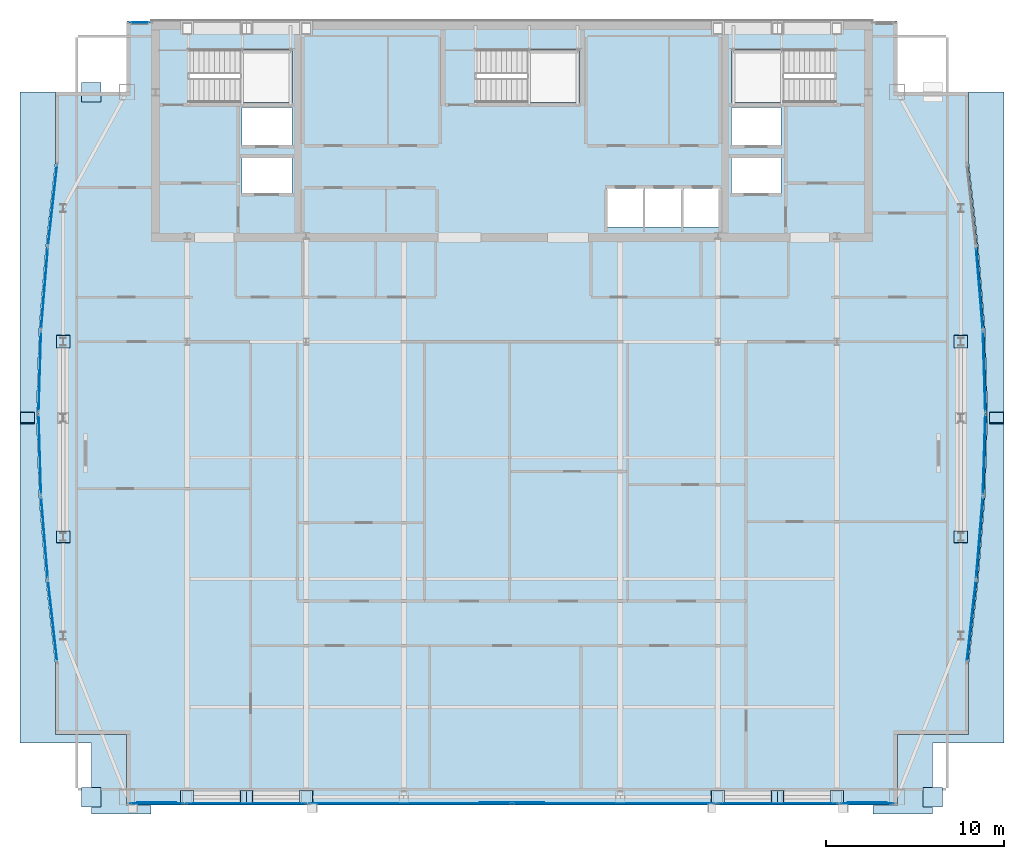
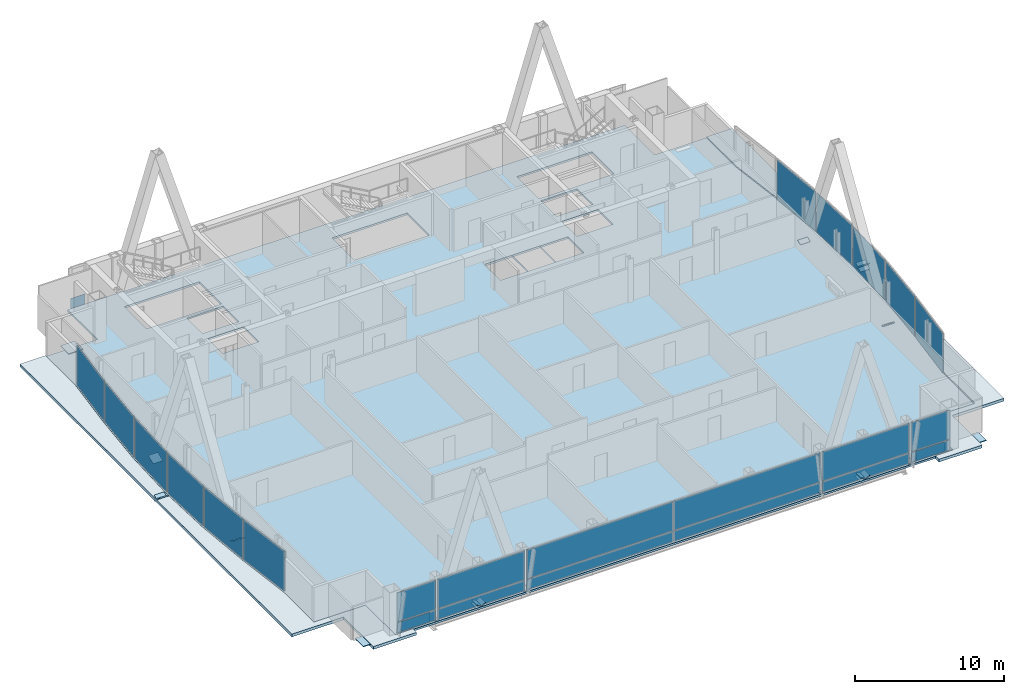
# One storey, part 21 of 28: 46 plates, 3 slabs, 17 elements without a shape of their own.
"""IFC4 building model written with IfcOpenShell, lengths in metres."""

from ifc_helpers import new_model, si_unit, direction, frame, origin, origin_2d, place, context, subcontext, project, spatial, polyline, rectangle, outline, extrude, material, layer, layer_set, type_object, element, aggregate, save


model = new_model("IFC4")

# Units and contexts
model_context = context("Model", 3, precision=1e-05, world=origin(), true_north=direction((0.0, 1.0)))
body_context = subcontext(model_context, "Body", "Model", "MODEL_VIEW")
ifc_project = project(units=[si_unit("LENGTHUNIT", "METRE"), si_unit("AREAUNIT", "SQUARE_METRE"), si_unit("VOLUMEUNIT", "CUBIC_METRE"), si_unit("PLANEANGLEUNIT", "RADIAN"), si_unit("MASSUNIT", "GRAM", prefix="KILO")], contexts=[model_context])

# Site, building, storey
site_placement = place(None, origin())
site = spatial("IfcSite", under=ifc_project, at=site_placement, CompositionType="ELEMENT")
building_placement = place(site_placement, origin())
building = spatial("IfcBuilding", under=site, at=building_placement, Name="Khoronbel Lancet Exchange", CompositionType="ELEMENT")
storey_placement = place(building_placement, frame((0.0, 0.0, 291.39990234375)))
storey = spatial("IfcBuildingStorey", under=building, at=storey_placement, Name="L75", CompositionType="ELEMENT", Elevation=291.39990234375)

# Curtain wall, plate
ifc_material_1 = material(Name="Low-E Solar Control Insulating Glass", Category="glass")
curtain_wall_type_1 = type_object("IfcCurtainWallType", Name="CW-4", PredefinedType="NOTDEFINED", material=ifc_material_1)
curtain_wall_1_placement = place(storey_placement, origin())
curtain_wall_1 = element("IfcCurtainWall", 1, at=curtain_wall_1_placement, inside=storey, type_object=curtain_wall_type_1, Name="Unitised curtain wall CW-L75-E05", PredefinedType="NOTDEFINED")
ifc_material_2 = material(Name="Bronze-Anodised Aluminium 6063-T6", Category="aluminium")
ifc_layer_1 = layer(ifc_material_2, 0.050048828125, Name="Bronze-Anodised Aluminium 6063-T6")
ifc_layer_set_1 = layer_set([ifc_layer_1], Name="Bronze-Anodised Aluminium 6063-T6")
plate_type_1 = type_object("IfcPlateType", Name="PLT-CSP1", PredefinedType="SHEET", material=ifc_layer_set_1)
plate_1_placement = place(storey_placement, frame((10.22265625, 24.706787109375, 0.085205078125), z_axis=(0.0, 0.0, 1.0), x_axis=(-0.082072596992, 0.996626353667, 0.0)))
plate_1 = element("IfcPlate", 2, at=plate_1_placement, type_object=plate_type_1, Name="CW4 panel 1.1", PredefinedType="CURTAIN_PANEL", context=body_context, shape_type="SweptSolid", body=[
    extrude(rectangle(XDim=4.52880859375, YDim=0.0380859375, at=origin_2d()), origin(), (0.0, 0.0, 1.0), 3.27001953125),
])
aggregate(curtain_wall_1, [plate_1])

curtain_wall_2_placement = place(storey_placement, origin())
curtain_wall_2 = element("IfcCurtainWall", 3, at=curtain_wall_2_placement, inside=storey, type_object=curtain_wall_type_1, Name="Unitised curtain wall CW-L75-E06", PredefinedType="NOTDEFINED")
plate_2_placement = place(storey_placement, frame((9.960205078125, 29.369140625, 0.085205078125), z_axis=(0.0, 0.0, 1.0), x_axis=(-0.030147608411, 0.999545457549, 0.0)))
plate_2 = element("IfcPlate", 4, at=plate_2_placement, type_object=plate_type_1, Name="CW4 panel 1.1", PredefinedType="CURTAIN_PANEL", context=body_context, shape_type="SweptSolid", body=[
    extrude(rectangle(XDim=4.513671875, YDim=0.0380859375, at=origin_2d()), origin(), (0.0, 0.0, 1.0), 3.27001953125),
])
aggregate(curtain_wall_2, [plate_2])

curtain_wall_3_placement = place(storey_placement, origin())
curtain_wall_3 = element("IfcCurtainWall", 5, at=curtain_wall_3_placement, inside=storey, type_object=curtain_wall_type_1, Name="Unitised curtain wall CW-L75-E07", PredefinedType="NOTDEFINED")
plate_3_placement = place(storey_placement, frame((9.960205078125, 34.03076171875, 0.085205078125), z_axis=(0.0, 0.0, 1.0), x_axis=(0.030147608411, 0.999545457549, 0.0)))
plate_3 = element("IfcPlate", 6, at=plate_3_placement, type_object=plate_type_1, Name="CW4 panel 1.1", PredefinedType="CURTAIN_PANEL", context=body_context, shape_type="SweptSolid", body=[
    extrude(rectangle(XDim=4.513671875, YDim=0.0380859375, at=origin_2d()), origin(), (0.0, 0.0, 1.0), 3.27001953125),
])
aggregate(curtain_wall_3, [plate_3])

curtain_wall_4_placement = place(storey_placement, origin())
curtain_wall_4 = element("IfcCurtainWall", 7, at=curtain_wall_4_placement, inside=storey, type_object=curtain_wall_type_1, Name="Unitised curtain wall CW-L75-E08", PredefinedType="NOTDEFINED")
plate_4_placement = place(storey_placement, frame((10.22265625, 38.693115234375, 0.085205078125), z_axis=(0.0, 0.0, 1.0), x_axis=(0.082072596992, 0.996626353667, 0.0)))
plate_4 = element("IfcPlate", 8, at=plate_4_placement, type_object=plate_type_1, Name="CW4 panel 1.1", PredefinedType="CURTAIN_PANEL", context=body_context, shape_type="SweptSolid", body=[
    extrude(rectangle(XDim=4.52880859375, YDim=0.0380859375, at=origin_2d()), origin(), (0.0, 0.0, 1.0), 3.27001953125),
])
aggregate(curtain_wall_4, [plate_4])

curtain_wall_5_placement = place(storey_placement, origin())
curtain_wall_5 = element("IfcCurtainWall", 9, at=curtain_wall_5_placement, inside=storey, type_object=curtain_wall_type_1, Name="Unitised curtain wall CW-L75-E18", PredefinedType="NOTDEFINED")
plate_5_placement = place(storey_placement, frame((62.677490234375, 38.693115234375, 0.085205078125), z_axis=(0.0, 0.0, 1.0), x_axis=(0.082072596992, -0.996626353667, 0.0)))
plate_5 = element("IfcPlate", 10, at=plate_5_placement, type_object=plate_type_1, Name="CW4 panel 1.1", PredefinedType="CURTAIN_PANEL", context=body_context, shape_type="SweptSolid", body=[
    extrude(rectangle(XDim=4.52880859375, YDim=0.0380859375, at=origin_2d()), origin(), (0.0, 0.0, 1.0), 3.27001953125),
])
aggregate(curtain_wall_5, [plate_5])

curtain_wall_6_placement = place(storey_placement, origin())
curtain_wall_6 = element("IfcCurtainWall", 11, at=curtain_wall_6_placement, inside=storey, type_object=curtain_wall_type_1, Name="Unitised curtain wall CW-L75-E19", PredefinedType="NOTDEFINED")
plate_6_placement = place(storey_placement, frame((62.939697265625, 34.03076171875, 0.085205078125), z_axis=(0.0, 0.0, 1.0), x_axis=(0.030147608411, -0.999545457549, 0.0)))
plate_6 = element("IfcPlate", 12, at=plate_6_placement, type_object=plate_type_1, Name="CW4 panel 1.1", PredefinedType="CURTAIN_PANEL", context=body_context, shape_type="SweptSolid", body=[
    extrude(rectangle(XDim=4.513671875, YDim=0.0380859375, at=origin_2d()), origin(), (0.0, 0.0, 1.0), 3.27001953125),
])
aggregate(curtain_wall_6, [plate_6])

curtain_wall_7_placement = place(storey_placement, origin())
curtain_wall_7 = element("IfcCurtainWall", 13, at=curtain_wall_7_placement, inside=storey, type_object=curtain_wall_type_1, Name="Unitised curtain wall CW-L75-E20", PredefinedType="NOTDEFINED")
plate_7_placement = place(storey_placement, frame((62.939697265625, 29.369140625, 0.085205078125), z_axis=(0.0, 0.0, 1.0), x_axis=(-0.030147608411, -0.999545457549, 0.0)))
plate_7 = element("IfcPlate", 14, at=plate_7_placement, type_object=plate_type_1, Name="CW4 panel 1.1", PredefinedType="CURTAIN_PANEL", context=body_context, shape_type="SweptSolid", body=[
    extrude(rectangle(XDim=4.513671875, YDim=0.0380859375, at=origin_2d()), origin(), (0.0, 0.0, 1.0), 3.27001953125),
])
aggregate(curtain_wall_7, [plate_7])

curtain_wall_8_placement = place(storey_placement, origin())
curtain_wall_8 = element("IfcCurtainWall", 15, at=curtain_wall_8_placement, inside=storey, type_object=curtain_wall_type_1, Name="Unitised curtain wall CW-L75-E21", PredefinedType="NOTDEFINED")
plate_8_placement = place(storey_placement, frame((62.677490234375, 24.706787109375, 0.085205078125), z_axis=(0.0, 0.0, 1.0), x_axis=(-0.082072596992, -0.996626353667, 0.0)))
plate_8 = element("IfcPlate", 16, at=plate_8_placement, type_object=plate_type_1, Name="CW4 panel 1.1", PredefinedType="CURTAIN_PANEL", context=body_context, shape_type="SweptSolid", body=[
    extrude(rectangle(XDim=4.52880859375, YDim=0.0380859375, at=origin_2d()), origin(), (0.0, 0.0, 1.0), 3.27001953125),
])
aggregate(curtain_wall_8, [plate_8])

curtain_wall_type_2 = type_object("IfcCurtainWallType", Name="CW-3", PredefinedType="NOTDEFINED", material=ifc_material_1)
curtain_wall_9_placement = place(storey_placement, origin())
curtain_wall_9 = element("IfcCurtainWall", 17, at=curtain_wall_9_placement, inside=storey, type_object=curtain_wall_type_2, Name="Unitised curtain wall CW-L75-SWV", PredefinedType="NOTDEFINED")
plate_9_placement = place(storey_placement, frame((16.52001953125, 9.85009765625, 0.05029296875), z_axis=(0.0, 0.0, 1.0), x_axis=(1.0, 0.0, 0.0)))
plate_9 = element("IfcPlate", 18, at=plate_9_placement, type_object=plate_type_1, Name="Insulated bronze spandrel cassette CW-L75-SWV", PredefinedType="SHEET", context=body_context, shape_type="SweptSolid", body=[
    extrude(rectangle(XDim=2.2119140625, YDim=0.050048828125, at=origin_2d()), origin(), (0.0, 0.0, 1.0), 0.800048828125),
])

# Curtain wall, plates
curtain_wall_10_placement = place(storey_placement, origin())
curtain_wall_10 = element("IfcCurtainWall", 19, at=curtain_wall_10_placement, inside=storey, type_object=curtain_wall_type_2, Name="Unitised curtain wall CW-L75-SWB", PredefinedType="NOTDEFINED")
plate_10_placement = place(storey_placement, frame((21.550048828125, 9.7900390625, 0.0849609375), z_axis=(0.0, 0.0, 1.0), x_axis=(1.0, 0.0, 0.0)))
plate_10 = element("IfcPlate", 20, at=plate_10_placement, type_object=plate_type_1, Name="CW3 panel 1.1", PredefinedType="CURTAIN_PANEL", context=body_context, shape_type="SweptSolid", body=[
    extrude(rectangle(XDim=6.72998046875, YDim=0.0380859375, at=origin_2d()), origin(), (0.0, 0.0, 1.0), 0.822509765625),
])
plate_11_placement = place(storey_placement, frame((21.550048828125, 9.7900390625, 0.99267578125), z_axis=(0.0, 0.0, 1.0), x_axis=(1.0, 0.0, 0.0)))
plate_11 = element("IfcPlate", 21, at=plate_11_placement, type_object=plate_type_1, Name="CW3 panel 1.2", PredefinedType="CURTAIN_PANEL", context=body_context, shape_type="SweptSolid", body=[
    extrude(rectangle(XDim=6.72998046875, YDim=0.0380859375, at=origin_2d()), origin(), (0.0, 0.0, 1.0), 2.362548828125),
])
aggregate(curtain_wall_10, [plate_10, plate_11])

# Curtain wall, plate
curtain_wall_11_placement = place(storey_placement, origin())
curtain_wall_11 = element("IfcCurtainWall", 22, at=curtain_wall_11_placement, inside=storey, type_object=curtain_wall_type_2, Name="Unitised curtain wall CW-L75-SCV", PredefinedType="NOTDEFINED")
plate_12_placement = place(storey_placement, frame((36.449951171875, 9.85009765625, 0.05029296875), z_axis=(0.0, 0.0, 1.0), x_axis=(1.0, 0.0, 0.0)))
plate_12 = element("IfcPlate", 23, at=plate_12_placement, type_object=plate_type_1, Name="Insulated bronze spandrel cassette CW-L75-SCV", PredefinedType="SHEET", context=body_context, shape_type="SweptSolid", body=[
    extrude(rectangle(XDim=3.60009765625, YDim=0.050048828125, at=origin_2d()), origin(), (0.0, 0.0, 1.0), 0.800048828125),
])

# Curtain wall, plates
curtain_wall_12_placement = place(storey_placement, origin())
curtain_wall_12 = element("IfcCurtainWall", 24, at=curtain_wall_12_placement, inside=storey, type_object=curtain_wall_type_2, Name="Unitised curtain wall CW-L75-SEB", PredefinedType="NOTDEFINED")
plate_13_placement = place(storey_placement, frame((51.35009765625, 9.7900390625, 0.0849609375), z_axis=(0.0, 0.0, 1.0), x_axis=(1.0, 0.0, 0.0)))
plate_13 = element("IfcPlate", 25, at=plate_13_placement, type_object=plate_type_1, Name="CW3 panel 1.1", PredefinedType="CURTAIN_PANEL", context=body_context, shape_type="SweptSolid", body=[
    extrude(rectangle(XDim=6.72998046875, YDim=0.0380859375, at=origin_2d()), origin(), (0.0, 0.0, 1.0), 0.822509765625),
])
plate_14_placement = place(storey_placement, frame((51.35009765625, 9.7900390625, 0.99267578125), z_axis=(0.0, 0.0, 1.0), x_axis=(1.0, 0.0, 0.0)))
plate_14 = element("IfcPlate", 26, at=plate_14_placement, type_object=plate_type_1, Name="CW3 panel 1.2", PredefinedType="CURTAIN_PANEL", context=body_context, shape_type="SweptSolid", body=[
    extrude(rectangle(XDim=6.72998046875, YDim=0.0380859375, at=origin_2d()), origin(), (0.0, 0.0, 1.0), 2.362548828125),
])
aggregate(curtain_wall_12, [plate_13, plate_14])

# Curtain wall, plate
curtain_wall_13_placement = place(storey_placement, origin())
curtain_wall_13 = element("IfcCurtainWall", 27, at=curtain_wall_13_placement, inside=storey, type_object=curtain_wall_type_2, Name="Unitised curtain wall CW-L75-SEV", PredefinedType="NOTDEFINED")
plate_15_placement = place(storey_placement, frame((56.3798828125, 9.85009765625, 0.05029296875), z_axis=(0.0, 0.0, 1.0), x_axis=(1.0, 0.0, 0.0)))
plate_15 = element("IfcPlate", 28, at=plate_15_placement, type_object=plate_type_1, Name="Insulated bronze spandrel cassette CW-L75-SEV", PredefinedType="SHEET", context=body_context, shape_type="SweptSolid", body=[
    extrude(rectangle(XDim=2.2119140625, YDim=0.050048828125, at=origin_2d()), origin(), (0.0, 0.0, 1.0), 0.800048828125),
])

curtain_wall_14_placement = place(storey_placement, origin())
curtain_wall_14 = element("IfcCurtainWall", 29, at=curtain_wall_14_placement, inside=storey, type_object=curtain_wall_type_2, Name="Unitised curtain wall CW-L75-NWFLK", PredefinedType="NOTDEFINED")
ifc_layer_2 = layer(ifc_material_1, 0.035888671875, Name="Low-E Solar Control Insulating Glass")
ifc_layer_set_2 = layer_set([ifc_layer_2], Name="Low-E Solar Control Insulating Glass")
plate_type_2 = type_object("IfcPlateType", Name="PLT-CWP1", PredefinedType="CURTAIN_PANEL", material=ifc_layer_set_2)
plate_16_placement = place(storey_placement, frame((15.580078125, 53.610107421875, 0.0849609375), z_axis=(0.0, 0.0, 1.0), x_axis=(-1.0, 0.0, 0.0)))
plate_16 = element("IfcPlate", 30, at=plate_16_placement, type_object=plate_type_2, Name="CW3 panel 1.1", PredefinedType="CURTAIN_PANEL", context=body_context, shape_type="SweptSolid", body=[
    extrude(rectangle(XDim=1.110107421875, YDim=0.0380859375, at=origin_2d()), origin(), (0.0, 0.0, 1.0), 0.822509765625),
])
aggregate(curtain_wall_14, [plate_16])

# Plate
plate_17_placement = place(storey_placement, frame((16.52001953125, 9.7900390625, 0.0849609375), z_axis=(0.0, 0.0, 1.0), x_axis=(1.0, 0.0, 0.0)))
plate_17 = element("IfcPlate", 31, at=plate_17_placement, type_object=plate_type_2, Name="CW3 panel 1.1", PredefinedType="CURTAIN_PANEL", context=body_context, shape_type="SweptSolid", body=[
    extrude(rectangle(XDim=2.989990234375, YDim=0.0380859375, at=origin_2d()), origin(), (0.0, 0.0, 1.0), 0.822509765625),
])

plate_18_placement = place(storey_placement, frame((16.52001953125, 9.7900390625, 0.99267578125), z_axis=(0.0, 0.0, 1.0), x_axis=(1.0, 0.0, 0.0)))
plate_18 = element("IfcPlate", 32, at=plate_18_placement, type_object=plate_type_2, Name="CW3 panel 1.2", PredefinedType="CURTAIN_PANEL", context=body_context, shape_type="SweptSolid", body=[
    extrude(rectangle(XDim=2.989990234375, YDim=0.0380859375, at=origin_2d()), origin(), (0.0, 0.0, 1.0), 2.362548828125),
])

aggregate(curtain_wall_9, [plate_17, plate_18, plate_9])

plate_19_placement = place(storey_placement, frame((30.746337890625, 9.7900390625, 0.0849609375), z_axis=(0.0, 0.0, 1.0), x_axis=(1.0, 0.0, 0.0)))
plate_19 = element("IfcPlate", 33, at=plate_19_placement, type_object=plate_type_2, Name="CW3 panel 1.1", PredefinedType="CURTAIN_PANEL", context=body_context, shape_type="SweptSolid", body=[
    extrude(rectangle(XDim=11.322509765625, YDim=0.0380859375, at=origin_2d()), origin(), (0.0, 0.0, 1.0), 0.822509765625),
])

plate_20_placement = place(storey_placement, frame((30.746337890625, 9.7900390625, 0.99267578125), z_axis=(0.0, 0.0, 1.0), x_axis=(1.0, 0.0, 0.0)))
plate_20 = element("IfcPlate", 34, at=plate_20_placement, type_object=plate_type_2, Name="CW3 panel 1.2", PredefinedType="CURTAIN_PANEL", context=body_context, shape_type="SweptSolid", body=[
    extrude(rectangle(XDim=11.322509765625, YDim=0.0380859375, at=origin_2d()), origin(), (0.0, 0.0, 1.0), 2.362548828125),
])

plate_21_placement = place(storey_placement, frame((42.15380859375, 9.7900390625, 0.0849609375), z_axis=(0.0, 0.0, 1.0), x_axis=(1.0, 0.0, 0.0)))
plate_21 = element("IfcPlate", 35, at=plate_21_placement, type_object=plate_type_2, Name="CW3 panel 2.1", PredefinedType="CURTAIN_PANEL", context=body_context, shape_type="SweptSolid", body=[
    extrude(rectangle(XDim=11.322509765625, YDim=0.0380859375, at=origin_2d()), origin(), (0.0, 0.0, 1.0), 0.822509765625),
])

plate_22_placement = place(storey_placement, frame((42.15380859375, 9.7900390625, 0.99267578125), z_axis=(0.0, 0.0, 1.0), x_axis=(1.0, 0.0, 0.0)))
plate_22 = element("IfcPlate", 36, at=plate_22_placement, type_object=plate_type_2, Name="CW3 panel 2.2", PredefinedType="CURTAIN_PANEL", context=body_context, shape_type="SweptSolid", body=[
    extrude(rectangle(XDim=11.322509765625, YDim=0.0380859375, at=origin_2d()), origin(), (0.0, 0.0, 1.0), 2.362548828125),
])

aggregate(curtain_wall_11, [plate_19, plate_20, plate_21, plate_22, plate_12])

plate_23_placement = place(storey_placement, frame((56.3798828125, 9.7900390625, 0.0849609375), z_axis=(0.0, 0.0, 1.0), x_axis=(1.0, 0.0, 0.0)))
plate_23 = element("IfcPlate", 37, at=plate_23_placement, type_object=plate_type_2, Name="CW3 panel 1.1", PredefinedType="CURTAIN_PANEL", context=body_context, shape_type="SweptSolid", body=[
    extrude(rectangle(XDim=2.989990234375, YDim=0.0380859375, at=origin_2d()), origin(), (0.0, 0.0, 1.0), 0.822509765625),
])

plate_24_placement = place(storey_placement, frame((56.3798828125, 9.7900390625, 0.99267578125), z_axis=(0.0, 0.0, 1.0), x_axis=(1.0, 0.0, 0.0)))
plate_24 = element("IfcPlate", 38, at=plate_24_placement, type_object=plate_type_2, Name="CW3 panel 1.2", PredefinedType="CURTAIN_PANEL", context=body_context, shape_type="SweptSolid", body=[
    extrude(rectangle(XDim=2.989990234375, YDim=0.0380859375, at=origin_2d()), origin(), (0.0, 0.0, 1.0), 2.362548828125),
])

aggregate(curtain_wall_13, [plate_23, plate_24, plate_15])

# Curtain wall, plate
curtain_wall_15_placement = place(storey_placement, origin())
curtain_wall_15 = element("IfcCurtainWall", 39, at=curtain_wall_15_placement, inside=storey, type_object=curtain_wall_type_1, Name="Unitised curtain wall CW-L75-E04", PredefinedType="NOTDEFINED")
ifc_material_3 = material(Name="Ceramic-Fritted Laminated Insulating Glass", Category="glass")
ifc_layer_3 = layer(ifc_material_3, 0.0419921875, Name="Ceramic-Fritted Laminated Insulating Glass")
ifc_layer_set_3 = layer_set([ifc_layer_3], Name="Ceramic-Fritted Laminated Insulating Glass")
plate_type_3 = type_object("IfcPlateType", Name="PLT-CWP2", PredefinedType="CURTAIN_PANEL", material=ifc_layer_set_3)
plate_25_placement = place(storey_placement, frame((10.67724609375, 20.040283203125, 0.085205078125), z_axis=(0.0, 0.0, 1.0), x_axis=(-0.111790570813, 0.993731788903, 0.0)))
plate_25 = element("IfcPlate", 40, at=plate_25_placement, type_object=plate_type_3, Name="CW4 panel 1.1", PredefinedType="CURTAIN_PANEL", context=body_context, shape_type="SweptSolid", body=[
    extrude(rectangle(XDim=4.5498046875, YDim=0.0380859375, at=origin_2d()), origin(), (0.0, 0.0, 1.0), 3.27001953125),
])
aggregate(curtain_wall_15, [plate_25])

curtain_wall_16_placement = place(storey_placement, origin())
curtain_wall_16 = element("IfcCurtainWall", 41, at=curtain_wall_16_placement, inside=storey, type_object=curtain_wall_type_1, Name="Unitised curtain wall CW-L75-E09", PredefinedType="NOTDEFINED")
plate_26_placement = place(storey_placement, frame((10.67724609375, 43.35986328125, 0.085205078125), z_axis=(0.0, 0.0, 1.0), x_axis=(0.111790570813, 0.993731788903, 0.0)))
plate_26 = element("IfcPlate", 42, at=plate_26_placement, type_object=plate_type_3, Name="CW4 panel 1.1", PredefinedType="CURTAIN_PANEL", context=body_context, shape_type="SweptSolid", body=[
    extrude(rectangle(XDim=4.5498046875, YDim=0.0380859375, at=origin_2d()), origin(), (0.0, 0.0, 1.0), 3.27001953125),
])
aggregate(curtain_wall_16, [plate_26])

curtain_wall_17_placement = place(storey_placement, origin())
curtain_wall_17 = element("IfcCurtainWall", 43, at=curtain_wall_17_placement, inside=storey, type_object=curtain_wall_type_1, Name="Unitised curtain wall CW-L75-E22", PredefinedType="NOTDEFINED")
plate_27_placement = place(storey_placement, frame((62.22265625, 20.040283203125, 0.085205078125), z_axis=(0.0, 0.0, 1.0), x_axis=(-0.111790570813, -0.993731788903, 0.0)))
plate_27 = element("IfcPlate", 44, at=plate_27_placement, type_object=plate_type_3, Name="CW4 panel 1.1", PredefinedType="CURTAIN_PANEL", context=body_context, shape_type="SweptSolid", body=[
    extrude(rectangle(XDim=4.5498046875, YDim=0.0380859375, at=origin_2d()), origin(), (0.0, 0.0, 1.0), 3.27001953125),
])
aggregate(curtain_wall_17, [plate_27])

# Plates
ifc_material_4 = material(Name="Steel S460", Category="steel")
ifc_layer_4 = layer(ifc_material_4, 0.044921875, Name="Steel S460")
ifc_layer_set_4 = layer_set([ifc_layer_4], Name="Steel S460")
plate_type_4 = type_object("IfcPlateType", Name="PLT-ECP1", PredefinedType="USERDEFINED", material=ifc_layer_set_4)
plate_28_placement = place(storey_placement, frame((0.0, 0.0, -0.011962890625)))
element("IfcPlate", 45, at=plate_28_placement, inside=storey, type_object=plate_type_4, Name="Hollow end cap plate PLT-CAP-COL-L74-MC-SW-TOP", ObjectType="STIFFENER_PLATE", PredefinedType="USERDEFINED", context=body_context, shape_type="SweptSolid", body=[
    extrude(outline(polyline([(12.294921875, 9.594970703125), (13.405029296875, 9.594970703125), (13.405029296875, 10.705078125), (12.294921875, 10.705078125), (12.294921875, 9.594970703125)])), origin(), (0.0, 0.0, 1.0), 0.045166015625),
])
plate_29_placement = place(storey_placement, frame((0.0, 0.0, -0.011962890625)))
element("IfcPlate", 46, at=plate_29_placement, inside=storey, type_object=plate_type_4, Name="Hollow end cap plate PLT-CAP-COL-L74-MC-SE-TOP", ObjectType="STIFFENER_PLATE", PredefinedType="USERDEFINED", context=body_context, shape_type="SweptSolid", body=[
    extrude(outline(polyline([(59.4951171875, 9.594970703125), (60.60498046875, 9.594970703125), (60.60498046875, 10.705078125), (59.4951171875, 10.705078125), (59.4951171875, 9.594970703125)])), origin(), (0.0, 0.0, 1.0), 0.045166015625),
])
plate_30_placement = place(storey_placement, frame((0.0, 0.0, -0.011962890625)))
element("IfcPlate", 47, at=plate_30_placement, inside=storey, type_object=plate_type_4, Name="Hollow end cap plate PLT-CAP-COL-L74-MC-NW-TOP", ObjectType="STIFFENER_PLATE", PredefinedType="USERDEFINED", context=body_context, shape_type="SweptSolid", body=[
    extrude(outline(polyline([(12.294921875, 49.14501953125), (13.405029296875, 49.14501953125), (13.405029296875, 50.2548828125), (12.294921875, 50.2548828125), (12.294921875, 49.14501953125)])), origin(), (0.0, 0.0, 1.0), 0.045166015625),
])
for number, where, z_axis, x_axis, name in (
    (48, (21.921142578125, 9.77001953125, -0.1298828125), (0.420809267695, 0.0, 0.907149138908), (0.0, 1.0, 0.0), "Hollow end cap plate PLT-CAP-MEM-MB-T25-S-W-L-1"),
    (49, (21.203857421875, 10.530029296875, -0.1298828125), (-0.420809267695, 0.0, 0.907149138908), (0.0, -1.0, 0.0), "Hollow end cap plate PLT-CAP-MEM-MB-T25-S-W-R-1"),
    (50, (51.696044921875, 9.77001953125, -0.1298828125), (0.420809267695, 0.0, 0.907149138908), (0.0, 1.0, 0.0), "Hollow end cap plate PLT-CAP-MEM-MB-T25-S-E-L-1"),
):
    element("IfcPlate", number, at=place(storey_placement, frame(where, z_axis=z_axis, x_axis=x_axis)), inside=storey, type_object=plate_type_4, Name=name, ObjectType="STIFFENER_PLATE", PredefinedType="USERDEFINED", context=body_context, shape_type="SweptSolid", body=[
        extrude(outline(polyline([(0.0, 0.0), (0.760009765625, 0.0), (0.760009765625, 0.760009765625), (0.0, 0.760009765625), (0.0, 0.0)])), origin(), (0.0, 0.0, -1.0), 0.044921875),
    ])
plate_31_placement = place(storey_placement, frame((50.978759765625, 10.530029296875, -0.1298828125), z_axis=(-0.420686674867, 0.0, 0.907205997329), x_axis=(0.0, -1.0, 0.0)))
element("IfcPlate", 51, at=plate_31_placement, inside=storey, type_object=plate_type_4, Name="Hollow end cap plate PLT-CAP-MEM-MB-T25-S-E-R-1", ObjectType="STIFFENER_PLATE", PredefinedType="USERDEFINED", context=body_context, shape_type="SweptSolid", body=[
    extrude(outline(polyline([(0.0, 0.0), (0.760009765625, 0.0), (0.760009765625, 0.76025390625), (0.0, 0.76025390625), (0.0, 0.0)])), origin(), (0.0, 0.0, -1.0), 0.044921875),
])
for number, where, z_axis, x_axis, name in (
    (52, (9.64990234375, 31.72607421875, -0.234130859375), (0.0, 0.679945843398, 0.733262333716), (-1.0, 0.0, 0.0), "Hollow end cap plate PLT-CAP-MEM-MB-T25-W-P-L-1"),
    (53, (8.889892578125, 31.081298828125, -0.16552734375), (0.0, -0.510427422605, 0.859920837201), (1.0, 0.0, 0.0), "Hollow end cap plate PLT-CAP-MEM-MB-T25-W-P-R-1"),
    (54, (64.010009765625, 31.72607421875, -0.234130859375), (0.0, 0.679945843398, 0.733262333716), (-1.0, 0.0, 0.0), "Hollow end cap plate PLT-CAP-MEM-MB-T25-E-P-L-1"),
    (55, (63.25, 31.081298828125, -0.16552734375), (0.0, -0.510427422605, 0.859920837201), (1.0, 0.0, 0.0), "Hollow end cap plate PLT-CAP-MEM-MB-T25-E-P-R-1"),
    (56, (18.591552734375, 9.77001953125, -0.1005859375), (0.295236958021, 0.0, 0.955424062193), (0.0, 1.0, 0.0), "Hollow end cap plate PLT-CAP-MEM-MB-T26-S-W-L-0"),
    (57, (24.533447265625, 10.530029296875, -0.1005859375), (-0.295236958021, 0.0, 0.955424062193), (0.0, -1.0, 0.0), "Hollow end cap plate PLT-CAP-MEM-MB-T26-S-W-R-0"),
):
    element("IfcPlate", number, at=place(storey_placement, frame(where, z_axis=z_axis, x_axis=x_axis)), inside=storey, type_object=plate_type_4, Name=name, ObjectType="STIFFENER_PLATE", PredefinedType="USERDEFINED", context=body_context, shape_type="SweptSolid", body=[
        extrude(outline(polyline([(0.0, 0.0), (0.760009765625, 0.0), (0.760009765625, 0.760009765625), (0.0, 0.760009765625), (0.0, 0.0)])), origin(), (0.0, 0.0, -1.0), 0.044921875),
    ])
plate_32_placement = place(storey_placement, frame((48.36669921875, 9.77001953125, -0.1005859375), z_axis=(0.295146364908, 0.0, 0.955452051796), x_axis=(0.0, 1.0, 0.0)))
element("IfcPlate", 58, at=plate_32_placement, inside=storey, type_object=plate_type_4, Name="Hollow end cap plate PLT-CAP-MEM-MB-T26-S-E-L-0", ObjectType="STIFFENER_PLATE", PredefinedType="USERDEFINED", context=body_context, shape_type="SweptSolid", body=[
    extrude(outline(polyline([(0.0, 0.0), (0.760009765625, 0.0), (0.760009765625, 0.76025390625), (0.0, 0.76025390625), (0.0, 0.0)])), origin(), (0.0, 0.0, -1.0), 0.044921875),
])
for number, where, z_axis, x_axis, name in (
    (59, (54.308349609375, 10.530029296875, -0.1005859375), (-0.295236958021, 0.0, 0.955424062193), (0.0, -1.0, 0.0), "Hollow end cap plate PLT-CAP-MEM-MB-T26-S-E-R-0"),
    (60, (11.64990234375, 25.07958984375, -0.189453125), (0.0, 0.525834774126, 0.850586732979), (-1.0, 0.0, 0.0), "Hollow end cap plate PLT-CAP-MEM-MB-T26-W-P-L-0"),
    (61, (10.889892578125, 35.34228515625, -0.128662109375), (0.0, -0.368175750156, 0.929756213745), (1.0, 0.0, 0.0), "Hollow end cap plate PLT-CAP-MEM-MB-T26-W-P-R-0"),
    (62, (62.010009765625, 25.07958984375, -0.189453125), (0.0, 0.525834774126, 0.850586732979), (-1.0, 0.0, 0.0), "Hollow end cap plate PLT-CAP-MEM-MB-T26-E-P-L-0"),
    (63, (61.25, 35.34228515625, -0.128662109375), (0.0, -0.368175750156, 0.929756213745), (1.0, 0.0, 0.0), "Hollow end cap plate PLT-CAP-MEM-MB-T26-E-P-R-0"),
):
    element("IfcPlate", number, at=place(storey_placement, frame(where, z_axis=z_axis, x_axis=x_axis)), inside=storey, type_object=plate_type_4, Name=name, ObjectType="STIFFENER_PLATE", PredefinedType="USERDEFINED", context=body_context, shape_type="SweptSolid", body=[
        extrude(outline(polyline([(0.0, 0.0), (0.760009765625, 0.0), (0.760009765625, 0.760009765625), (0.0, 0.760009765625), (0.0, 0.0)])), origin(), (0.0, 0.0, -1.0), 0.044921875),
    ])

# Slabs
ifc_material_5 = material(Name="Concrete C40/50", Category="concrete")
ifc_layer_5 = layer(ifc_material_5, 0.159912109375, Name="Concrete C40/50")
ifc_layer_set_5 = layer_set([ifc_layer_5], Name="Concrete C40/50")
slab_type_1 = type_object("IfcSlabType", Name="SL-FL160", PredefinedType="FLOOR", material=ifc_layer_set_5)
slab_1_placement = place(storey_placement, frame((0.0, 0.0, -0.159912109375)))
element("IfcSlab", 64, at=slab_1_placement, inside=storey, type_object=slab_type_1, Name="Level L75 composite structural floor slab", PredefinedType="FLOOR", context=body_context, shape_type="SweptSolid", body=[
    extrude(outline(polyline([(14.85009765625, 9.699951171875), (58.050048828125, 9.699951171875), (58.050048828125, 13.699951171875), (62.050048828125, 13.699951171875), (62.050048828125, 17.699951171875), (62.574951171875, 22.36669921875), (62.959228515625, 27.033203125), (63.10009765625, 31.699951171875), (62.959228515625, 36.36669921875), (62.574951171875, 41.033203125), (62.050048828125, 45.699951171875), (62.050048828125, 49.699951171875), (58.050048828125, 49.699951171875), (58.050048828125, 53.699951171875), (14.85009765625, 53.699951171875), (14.85009765625, 49.699951171875), (10.85009765625, 49.699951171875), (10.85009765625, 45.699951171875), (10.324951171875, 41.033203125), (9.940673828125, 36.36669921875), (9.800048828125, 31.699951171875), (9.940673828125, 27.033203125), (10.324951171875, 22.36669921875), (10.85009765625, 17.699951171875), (10.85009765625, 13.699951171875), (14.85009765625, 13.699951171875), (14.85009765625, 9.699951171875)]), holes=[polyline([(18.324951171875, 49.1201171875), (24.14990234375, 49.1201171875), (24.14990234375, 52.10009765625), (18.324951171875, 52.10009765625), (18.324951171875, 49.1201171875)]), polyline([(48.75, 49.1201171875), (54.574951171875, 49.1201171875), (54.574951171875, 52.10009765625), (48.75, 52.10009765625), (48.75, 49.1201171875)]), polyline([(34.425048828125, 49.1201171875), (40.25, 49.1201171875), (40.25, 52.10009765625), (34.425048828125, 52.10009765625), (34.425048828125, 49.1201171875)]), polyline([(41.739990234375, 42.14990234375), (43.8798828125, 42.14990234375), (43.8798828125, 44.300048828125), (41.739990234375, 44.300048828125), (41.739990234375, 42.14990234375)]), polyline([(43.89990234375, 42.14990234375), (46.0400390625, 42.14990234375), (46.0400390625, 44.300048828125), (43.89990234375, 44.300048828125), (43.89990234375, 42.14990234375)]), polyline([(46.06005859375, 42.14990234375), (48.199951171875, 42.14990234375), (48.199951171875, 44.300048828125), (46.06005859375, 44.300048828125), (46.06005859375, 42.14990234375)]), polyline([(21.300048828125, 46.75), (24.10009765625, 46.75), (24.10009765625, 48.85009765625), (21.300048828125, 48.85009765625), (21.300048828125, 46.75)]), polyline([(48.75, 46.75), (51.550048828125, 46.75), (51.550048828125, 48.85009765625), (48.75, 48.85009765625), (48.75, 46.75)]), polyline([(21.300048828125, 44.050048828125), (24.10009765625, 44.050048828125), (24.10009765625, 46.050048828125), (21.300048828125, 46.050048828125), (21.300048828125, 44.050048828125)]), polyline([(48.75, 44.050048828125), (51.550048828125, 44.050048828125), (51.550048828125, 46.050048828125), (48.75, 46.050048828125), (48.75, 44.050048828125)])]), origin(), (0.0, 0.0, 1.0), 0.159912109375),
])
ifc_layer_6 = layer(ifc_material_5, 0.22998046875, Name="Concrete C40/50")
ifc_layer_set_6 = layer_set([ifc_layer_6], Name="Concrete C40/50")
slab_type_2 = type_object("IfcSlabType", Name="SL-ROOF220", PredefinedType="ROOF", material=ifc_layer_set_6)
slab_2_placement = place(storey_placement, frame((0.0, 0.0, -0.159912109375)))
element("IfcSlab", 65, at=slab_2_placement, inside=storey, type_object=slab_type_2, Name="Level L75 setback roof slab 1", PredefinedType="ROOF", context=body_context, shape_type="SweptSolid", body=[
    extrude(outline(polyline([(12.85009765625, 9.199951171875), (12.85009765625, 13.199951171875), (8.85009765625, 13.199951171875), (8.85009765625, 17.199951171875), (8.85009765625, 45.699951171875), (8.85009765625, 49.699951171875), (10.830078125, 49.699951171875), (10.830078125, 45.701171875), (10.30517578125, 41.035400390625), (10.30517578125, 41.034912109375), (9.9208984375, 36.368408203125), (9.920654296875, 36.3671875), (9.780029296875, 31.70068359375), (9.780029296875, 31.699462890625), (9.920654296875, 27.03271484375), (9.9208984375, 27.03173828125), (10.30517578125, 22.364990234375), (10.30517578125, 22.364501953125), (10.830078125, 17.698974609375), (10.830078125, 13.699951171875), (10.830078125, 13.697998046875), (10.830322265625, 13.696044921875), (10.830810546875, 13.694091796875), (10.83154296875, 13.6923828125), (10.83251953125, 13.690673828125), (10.83349609375, 13.68896484375), (10.83447265625, 13.687255859375), (10.8359375, 13.685791015625), (10.83740234375, 13.6845703125), (10.8388671875, 13.683349609375), (10.840576171875, 13.682373046875), (10.84228515625, 13.681396484375), (10.84423828125, 13.680908203125), (10.84619140625, 13.680419921875), (10.847900390625, 13.68017578125), (10.85009765625, 13.679931640625), (14.830078125, 13.679931640625), (14.830078125, 9.699951171875), (14.830078125, 9.697998046875), (14.830322265625, 9.696044921875), (14.830810546875, 9.694091796875), (14.83154296875, 9.6923828125), (14.83251953125, 9.690673828125), (14.83349609375, 9.68896484375), (14.83447265625, 9.687255859375), (14.8359375, 9.685791015625), (14.83740234375, 9.6845703125), (14.8388671875, 9.683349609375), (14.840576171875, 9.682373046875), (14.84228515625, 9.681396484375), (14.84423828125, 9.680908203125), (14.84619140625, 9.680419921875), (14.847900390625, 9.68017578125), (14.85009765625, 9.679931640625), (16.199951171875, 9.679931640625), (16.199951171875, 9.199951171875), (12.85009765625, 9.199951171875)])), origin(), (0.0, 0.0, 1.0), 0.22998046875),
])
slab_3_placement = place(storey_placement, frame((0.0, 0.0, -0.159912109375)))
element("IfcSlab", 66, at=slab_3_placement, inside=storey, type_object=slab_type_2, Name="Level L75 setback roof slab 2", PredefinedType="ROOF", context=body_context, shape_type="SweptSolid", body=[
    extrude(outline(polyline([(64.050048828125, 45.699951171875), (64.050048828125, 17.199951171875), (64.050048828125, 13.199951171875), (60.050048828125, 13.199951171875), (60.050048828125, 9.199951171875), (56.699951171875, 9.199951171875), (56.699951171875, 9.679931640625), (58.050048828125, 9.679931640625), (58.052001953125, 9.68017578125), (58.053955078125, 9.680419921875), (58.055908203125, 9.680908203125), (58.0576171875, 9.681396484375), (58.059326171875, 9.682373046875), (58.06103515625, 9.683349609375), (58.062744140625, 9.6845703125), (58.064208984375, 9.685791015625), (58.0654296875, 9.687255859375), (58.066650390625, 9.68896484375), (58.067626953125, 9.690673828125), (58.068603515625, 9.6923828125), (58.069091796875, 9.694091796875), (58.069580078125, 9.696044921875), (58.06982421875, 9.697998046875), (58.070068359375, 9.699951171875), (58.070068359375, 13.679931640625), (62.050048828125, 13.679931640625), (62.052001953125, 13.68017578125), (62.053955078125, 13.680419921875), (62.055908203125, 13.680908203125), (62.0576171875, 13.681396484375), (62.059326171875, 13.682373046875), (62.06103515625, 13.683349609375), (62.062744140625, 13.6845703125), (62.064208984375, 13.685791015625), (62.0654296875, 13.687255859375), (62.066650390625, 13.68896484375), (62.067626953125, 13.690673828125), (62.068603515625, 13.6923828125), (62.069091796875, 13.694091796875), (62.069580078125, 13.696044921875), (62.06982421875, 13.697998046875), (62.070068359375, 13.699951171875), (62.070068359375, 17.698974609375), (62.594970703125, 22.364501953125), (62.594970703125, 22.364990234375), (62.979248046875, 27.03173828125), (62.979248046875, 27.03271484375), (63.1201171875, 31.699462890625), (63.1201171875, 31.70068359375), (62.979248046875, 36.3671875), (62.979248046875, 36.368408203125), (62.594970703125, 41.034912109375), (62.594970703125, 41.035400390625), (62.070068359375, 45.701171875), (62.070068359375, 49.699951171875), (64.050048828125, 49.699951171875), (64.050048828125, 45.699951171875)])), origin(), (0.0, 0.0, 1.0), 0.22998046875),
])

save(model, "model.ifc")
